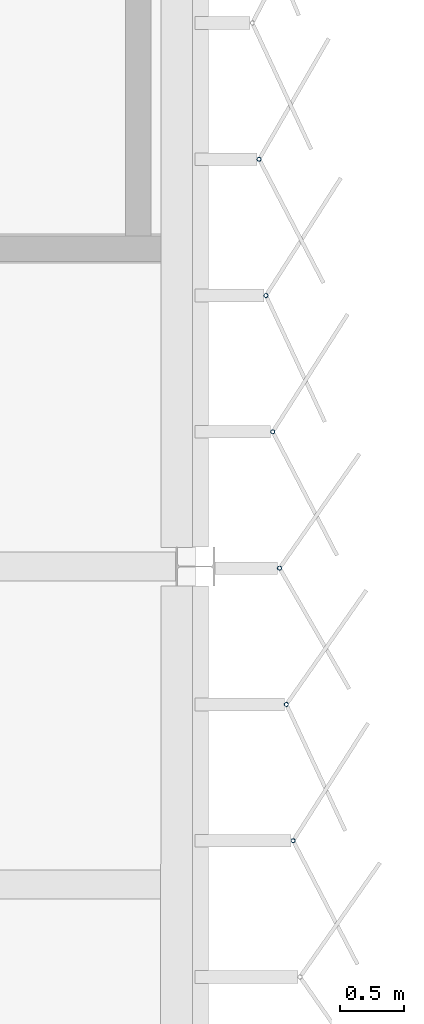
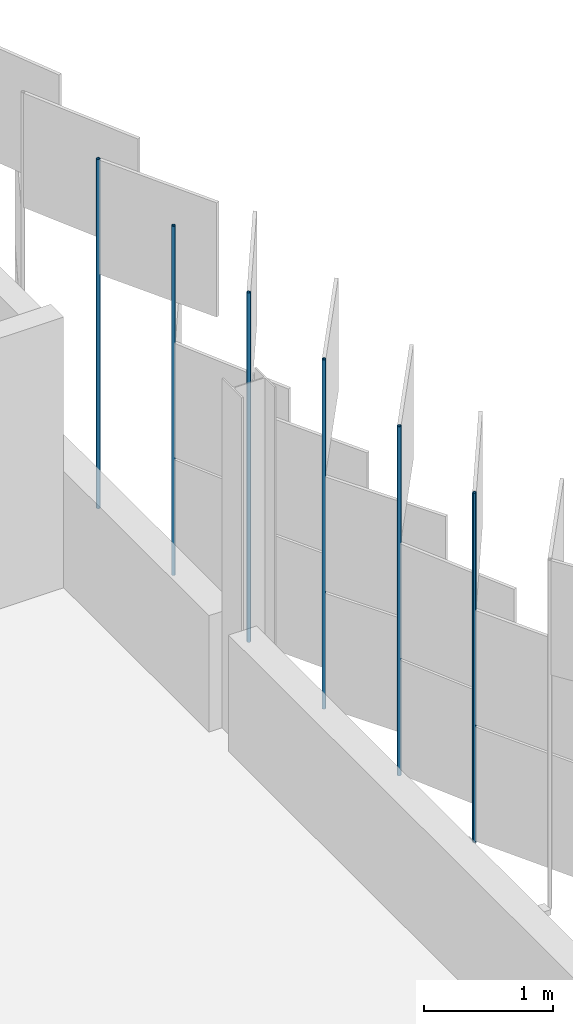
# One storey, part 91 of 198: 6 discrete accessories.
"""IFC4 building model written with IfcOpenShell, lengths in metres."""

from ifc_helpers import new_model, si_unit, direction, frame, origin, origin_2d, place, context, subcontext, project, spatial, hollow_circle, extrude, material, material_profile, profile_set, type_object, element, save


model = new_model("IFC4")

# Units and contexts
model_context = context("Model", 3, precision=1e-05, world=origin(), true_north=direction((0.0, 1.0)))
body_context = subcontext(model_context, "Body", "Model", "MODEL_VIEW")
ifc_project = project(units=[si_unit("LENGTHUNIT", "METRE"), si_unit("AREAUNIT", "SQUARE_METRE"), si_unit("VOLUMEUNIT", "CUBIC_METRE"), si_unit("PLANEANGLEUNIT", "RADIAN"), si_unit("MASSUNIT", "GRAM", prefix="KILO")], contexts=[model_context])

# Site, building, storey
site_placement = place(None, origin())
site = spatial("IfcSite", under=ifc_project, at=site_placement, CompositionType="ELEMENT")
building_placement = place(site_placement, origin())
building = spatial("IfcBuilding", under=site, at=building_placement, Name="Parallax Yard Mobility Hub", CompositionType="ELEMENT")
storey_placement = place(building_placement, frame((0.0, 0.0, 6.60009765625)))
storey = spatial("IfcBuildingStorey", under=building, at=storey_placement, Name="L02", CompositionType="ELEMENT", Elevation=6.60009765625)

# Discrete accessories
ifc_material = material(Name="Steel ASTM A500 Gr C, hot-dip galvanised", Category="steel")
ifc_material_profile = material_profile(ifc_material, hollow_circle(Radius=0.016845703125, WallThickness=0.003173828125, at=origin_2d()), Name="CHS 33.7x3.2")
ifc_profile_set = profile_set([ifc_material_profile], Name="Steel ASTM A500 Gr C, hot-dip galvanised")
discrete_accessory_type = type_object("IfcDiscreteAccessoryType", Name="Hinge post CHS 33.7x3.2", PredefinedType="BRACKET", material=ifc_profile_set)
for number, where, z_axis, x_axis, name in (
    (1, (225.76953125, 35.34423828125, 0.0), (0.0, 0.0, 1.0), (1.0, 0.0, 0.0), "Hinge post bay 33.6 level L02"),
    (2, (225.716064453125, 36.416015625, 0.0), (0.0, 0.0, 1.0), (1.0, 0.0, 0.0), "Hinge post bay 33.7 level L02"),
    (3, (225.66259765625, 37.487548828125, 0.0), (0.0, 0.0, 1.0), (1.0, 0.0, 0.0), "Hinge post bay 34.1 level L02"),
    (4, (225.60888671875, 38.559326171875, 0.0), (0.0, 0.0, 1.0), (1.0, 0.0, 0.0), "Hinge post bay 34.2 level L02"),
    (5, (225.555419921875, 39.631103515625, 0.0), (0.0, 0.0, 1.0), (1.0, 0.0, 0.0), "Hinge post bay 34.3 level L02"),
    (6, (225.501708984375, 40.702880859375, 0.0), (0.0, 0.0, 1.0), (1.0, 0.0, 0.0), "Hinge post bay 34.4 level L02"),
):
    element("IfcDiscreteAccessory", number, at=place(storey_placement, frame(where, z_axis=z_axis, x_axis=x_axis)), inside=storey, type_object=discrete_accessory_type, Name=name, PredefinedType="BRACKET", context=body_context, shape_type="SweptSolid", body=[
        extrude(hollow_circle(Radius=0.016845703125, WallThickness=0.003173828125, at=origin_2d()), origin(), (0.0, 0.0, 1.0), 3.2998046875),
    ])

save(model, "model.ifc")
